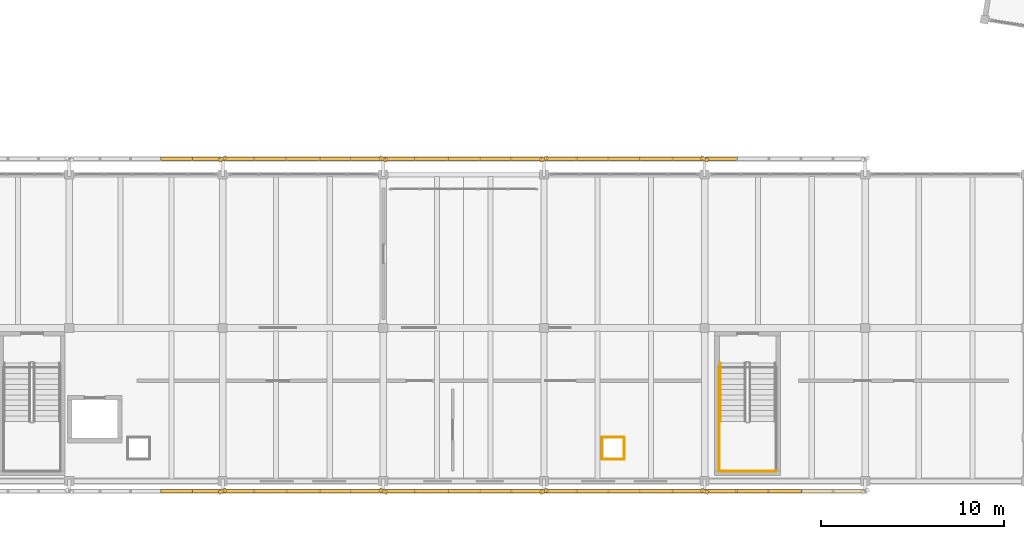
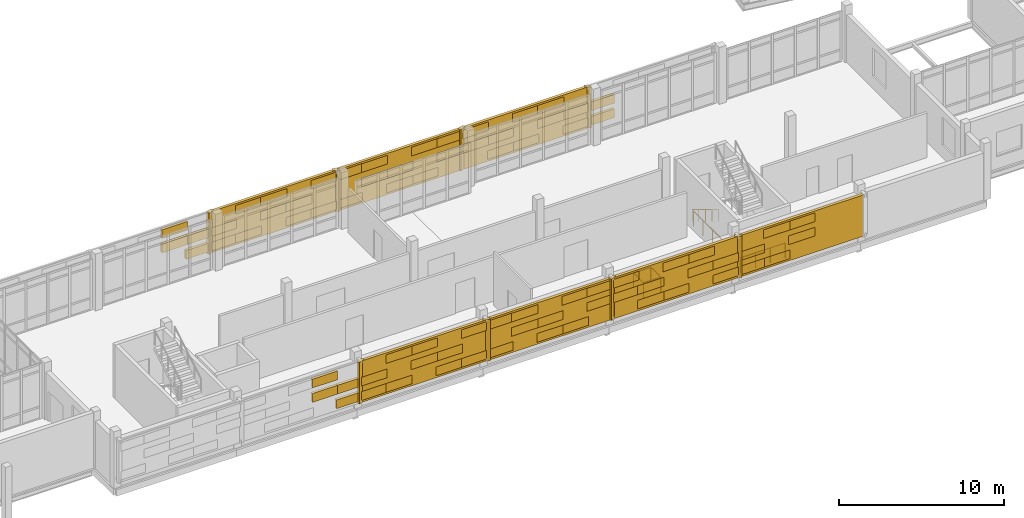
# One storey, part 125 of 137: 84 coverings, 7 railings, 7 shading devices.
"""IFC4 building model written with IfcOpenShell, lengths in metres."""

import ifcopenshell
import ifcopenshell.guid

model = None  # the IFC model being written
_history = None  # IfcOwnerHistory: only IFC2X3 demands one
_inside = {}  # id of a spatial element -> (the spatial element, [elements in it])
_under = {}  # id of a project, library or spatial element -> (it, [spatial elements below it])
_declared = {}  # id of a project -> (the project, [libraries it declares])
_typed = {}  # id of a type object -> (the type object, [elements of that type])
_made_of = {}  # id of a material, layer set ... -> (it, [elements and type objects made of it])


def new_model(schema):
    """Start an empty IFC model of exactly this schema.

    Asked for "IFC4X3", IfcOpenShell would pick the latest addendum, in which some entities
    have other attributes; the version numbers below select the first issue.
    IFC2X3 requires an IfcOwnerHistory on every rooted entity: one is made here for all.
    """
    global model, _history
    if schema == "IFC4X3":
        model = ifcopenshell.file(schema_version=(4, 3, 0, 0))
    else:
        model = ifcopenshell.file(schema=schema)
    _inside.clear()
    _under.clear()
    _declared.clear()
    _typed.clear()
    _made_of.clear()
    _history = None
    if model.schema == "IFC2X3":
        org = make("IfcOrganization", Name="unknown")
        user = make(
            "IfcPersonAndOrganization",
            ThePerson=make("IfcPerson", FamilyName="unknown"),
            TheOrganization=org,
        )
        app = make(
            "IfcApplication",
            ApplicationDeveloper=org,
            Version="unknown",
            ApplicationFullName="unknown",
            ApplicationIdentifier="unknown",
        )
        _history = make(
            "IfcOwnerHistory",
            OwningUser=user,
            OwningApplication=app,
            ChangeAction="ADDED",
            CreationDate=0,
        )
    return model


def make(cls, **values):
    """One entity of the class cls with the attributes given. An attribute that is None is left unset."""
    return model.create_entity(
        cls, **{name: value for name, value in values.items() if value is not None}
    )


def rooted(cls, **values):
    """An entity with a GlobalId (a new one), such as an element, a storey or a relation."""
    return make(cls, GlobalId=ifcopenshell.guid.new(), OwnerHistory=_history, **values)


def si_unit(unit_type, name, prefix=None):
    """IfcSIUnit, for example si_unit("LENGTHUNIT", "METRE", prefix="MILLI")."""
    return make("IfcSIUnit", UnitType=unit_type, Prefix=prefix, Name=name)


def assignment(units):
    """IfcUnitAssignment: the units of a project."""
    return None if units is None else make("IfcUnitAssignment", Units=units)


def point(xyz):
    """IfcCartesianPoint."""
    return None if xyz is None else make("IfcCartesianPoint", Coordinates=xyz)


def direction(xyz):
    """IfcDirection."""
    return None if xyz is None else make("IfcDirection", DirectionRatios=xyz)


def frame(location, z_axis=None, x_axis=None):
    """IfcAxis2Placement3D, a coordinate frame: its origin and axes. An axis left out is left unset."""
    return make(
        "IfcAxis2Placement3D",
        Location=point(location),
        Axis=direction(z_axis),
        RefDirection=direction(x_axis),
    )


def frame_2d(location, x_axis=None):
    """IfcAxis2Placement2D, a coordinate frame in the plane: its origin and x axis."""
    return make(
        "IfcAxis2Placement2D", Location=point(location), RefDirection=direction(x_axis)
    )


def origin():
    """The frame at (0, 0, 0) with its axes left unset."""
    return frame((0.0, 0.0, 0.0))


def origin_2d():
    """The frame at (0, 0) in the plane with its x axis left unset."""
    return frame_2d((0.0, 0.0))


def place(relative_to, where):
    """IfcLocalPlacement: puts the frame where relative to a parent placement (None: the world)."""
    return make(
        "IfcLocalPlacement", PlacementRelTo=relative_to, RelativePlacement=where
    )


def context(
    kind, dimensions, precision=None, world=None, true_north=None, identifier=None
):
    """IfcGeometricRepresentationContext, for example the 3D "Model" context."""
    return make(
        "IfcGeometricRepresentationContext",
        ContextIdentifier=identifier,
        ContextType=kind,
        CoordinateSpaceDimension=dimensions,
        Precision=precision,
        WorldCoordinateSystem=world,
        TrueNorth=true_north,
    )


def subcontext(parent, identifier, kind, view, scale=None):
    """IfcGeometricRepresentationSubContext, for example "Body" below "Model"."""
    return make(
        "IfcGeometricRepresentationSubContext",
        ContextIdentifier=identifier,
        ContextType=kind,
        ParentContext=parent,
        TargetScale=scale,
        TargetView=view,
    )


def project(units=None, contexts=None):
    """IfcProject with its units and contexts."""
    return rooted(
        "IfcProject",
        Name="project",
        RepresentationContexts=contexts,
        UnitsInContext=assignment(units),
    )


def spatial(cls, under=None, at=None, **own):
    """A site, building, storey or space (cls), placed at a placement, below another one or the project."""
    s = rooted(cls, ObjectPlacement=at, **own)
    if under is not None:
        _under.setdefault(under.id(), (under, []))[1].append(s)
    return s


def profile(cls, at=None, kind="AREA", **sizes):
    """A parametric profile (cls). Its sizes go by their IFC names, for example OverallWidth=200.0."""
    return make(cls, ProfileType=kind, Position=at, **sizes)


def rectangle(**sizes):
    """IfcRectangleProfileDef."""
    return profile("IfcRectangleProfileDef", **sizes)


def circle(**sizes):
    """IfcCircleProfileDef."""
    return profile("IfcCircleProfileDef", **sizes)


def extrude(swept, where, along, depth):
    """IfcExtrudedAreaSolid: the profile swept, set in the frame where, extruded along a direction by depth."""
    return make(
        "IfcExtrudedAreaSolid",
        SweptArea=swept,
        Position=where,
        ExtrudedDirection=direction(along),
        Depth=depth,
    )


def shape(context_of_items, identifier, shape_type, items):
    """IfcShapeRepresentation: the items that make up one representation, for example the "Body"."""
    return make(
        "IfcShapeRepresentation",
        ContextOfItems=context_of_items,
        RepresentationIdentifier=identifier,
        RepresentationType=shape_type,
        Items=items,
    )


def material(Name=None, Category=None):
    """IfcMaterial."""
    return make("IfcMaterial", Name=Name, Category=Category)


def layer(
    of_material, thickness, ventilated=None, Name=None, Category=None, Priority=None
):
    """IfcMaterialLayer: one layer of a wall or slab, of a material (None: an air gap)."""
    return make(
        "IfcMaterialLayer",
        Material=of_material,
        LayerThickness=thickness,
        IsVentilated=ventilated,
        Name=Name,
        Category=Category,
        Priority=Priority,
    )


def layer_set(layers, Name=None):
    """IfcMaterialLayerSet."""
    return make("IfcMaterialLayerSet", MaterialLayers=layers, LayerSetName=Name)


def made_of(thing, what):
    """Note that an element or type object is made of a material, layer set ...; save() writes the relation."""
    if what is not None:
        _made_of.setdefault(what.id(), (what, []))[1].append(thing)
    return thing


def type_object(cls, material=None, **own):
    """A type object (cls), such as IfcWallType, which elements share."""
    return made_of(rooted(cls, **own), material)


def element(
    cls,
    number,
    at=None,
    inside=None,
    cuts=None,
    type_object=None,
    material=None,
    context=None,
    identifier="Body",
    shape_type=None,
    held_by="IfcProductDefinitionShape",
    body=None,
    shapes=None,
    **own,
):
    """One element of the class cls, such as IfcWall. Its Tag is "e" and its number.

    at: its placement. inside: the storey or other place that contains it. cuts: it is an
    opening in that element (IfcRelVoidsElement). A single representation is given by context,
    identifier, shape_type and body (its items); several are given by shapes. held_by: the class
    of the entity that holds the representations. save() writes the other relations.
    """
    e = rooted(cls, Tag="e%d" % number, ObjectPlacement=at, **own)
    if body is not None:
        shapes = [shape(context, identifier, shape_type, body)]
    if shapes is not None:
        e.Representation = make(held_by, Representations=shapes)
    if inside is not None:
        _inside.setdefault(inside.id(), (inside, []))[1].append(e)
    if cuts is not None:
        rooted(
            "IfcRelVoidsElement", RelatingBuildingElement=cuts, RelatedOpeningElement=e
        )
    if type_object is not None:
        _typed.setdefault(type_object.id(), (type_object, []))[1].append(e)
    return made_of(e, material)


def aggregate(whole, parts):
    """IfcRelAggregates: a whole, such as a stair, and the parts it consists of."""
    return rooted("IfcRelAggregates", RelatingObject=whole, RelatedObjects=parts)


def save(model, path):
    """Write the relations noted so far, then the file.

    IfcRelAggregates (storeys below a building ...), IfcRelContainedInSpatialStructure (elements
    in a storey), IfcRelDefinesByType, IfcRelAssociatesMaterial and IfcRelDeclares: one each for
    every whole, place, type object, material and project.
    """
    for whole, parts in _under.values():
        aggregate(whole, parts)
    for where, things in _inside.values():
        rooted(
            "IfcRelContainedInSpatialStructure",
            RelatedElements=things,
            RelatingStructure=where,
        )
    for kind, things in _typed.values():
        rooted("IfcRelDefinesByType", RelatedObjects=things, RelatingType=kind)
    for what, things in _made_of.values():
        rooted("IfcRelAssociatesMaterial", RelatedObjects=things, RelatingMaterial=what)
    for by, libraries in _declared.values():
        rooted("IfcRelDeclares", RelatingContext=by, RelatedDefinitions=libraries)
    model.write(path)


model = new_model("IFC4")

# Units and contexts
model_context = context("Model", 3, precision=1e-05, world=origin(), true_north=direction((0.0, 1.0)))
body_context = subcontext(model_context, "Body", "Model", "MODEL_VIEW")
ifc_project = project(units=[si_unit("LENGTHUNIT", "METRE"), si_unit("AREAUNIT", "SQUARE_METRE"), si_unit("VOLUMEUNIT", "CUBIC_METRE"), si_unit("PLANEANGLEUNIT", "RADIAN"), si_unit("MASSUNIT", "GRAM", prefix="KILO")], contexts=[model_context])

# Site, building, storey
site_placement = place(None, origin())
site = spatial("IfcSite", under=ifc_project, at=site_placement, CompositionType="ELEMENT")
building_placement = place(site_placement, origin())
building = spatial("IfcBuilding", under=site, at=building_placement, Name="Cinderway Yard Community Centre", CompositionType="ELEMENT")
storey_placement = place(building_placement, frame((0.0, 0.0, 4.800048828125)))
storey = spatial("IfcBuildingStorey", under=building, at=storey_placement, Name="L01", CompositionType="ELEMENT", Elevation=4.800048828125)

# Coverings
ifc_material_1 = material(Name="Brick Masonry", Category="masonry")
ifc_layer = layer(ifc_material_1, 0.18994140625, Name="Brick Masonry")
ifc_layer_set = layer_set([ifc_layer], Name="Brick Masonry")
covering_type = type_object("IfcCoveringType", Name="ENV-COV-BRK-SCREEN", PredefinedType="CLADDING", material=ifc_layer_set)
for number, where, z_axis, x_axis, name in (
    (1, (75.199951171875, 5.449951171875, 0.64990234375), (0.0, 0.0, 1.0), (-0.913545457643, -0.406736643076, 0.0), "Deconstructivist folded brick fin 0747"),
    (2, (84.0, 5.449951171875, 0.64990234375), (0.0, 0.0, 1.0), (-0.913545457643, 0.406736643076, 0.0), "Deconstructivist folded brick fin 0748"),
    (3, (92.800048828125, 5.449951171875, 0.64990234375), (0.0, 0.0, 1.0), (-0.913545457643, -0.406736643076, 0.0), "Deconstructivist folded brick fin 0749"),
    (4, (101.60009765625, 5.449951171875, 0.64990234375), (0.0, 0.0, 1.0), (-0.913545457643, 0.406736643076, 0.0), "Deconstructivist folded brick fin 0750"),
):
    element("IfcCovering", number, at=place(storey_placement, frame(where, z_axis=z_axis, x_axis=x_axis)), inside=storey, type_object=covering_type, Name=name, PredefinedType="CLADDING", context=body_context, shape_type="SweptSolid", body=[
        extrude(rectangle(XDim=0.4599609375, YDim=0.199951171875, at=origin_2d()), origin(), (0.0, 0.0, 1.0), 3.050048828125),
    ])
for number, where, z_axis, x_axis, name in (
    (5, (74.360107421875, 5.449951171875, 0.7900390625), (0.0, 0.0, 1.0), (-1.0, 0.0, 0.0), "Open-bond perforated brick screen course 00764"),
    (6, (72.679931640625, 5.449951171875, 1.85205078125), (0.0, 0.0, 1.0), (-1.0, 0.0, 0.0), "Open-bond perforated brick screen course 00767"),
    (7, (74.360107421875, 5.449951171875, 1.85205078125), (0.0, 0.0, 1.0), (-1.0, 0.0, 0.0), "Open-bond perforated brick screen course 00768"),
    (8, (72.679931640625, 5.449951171875, 2.9140625), (0.0, 0.0, 1.0), (-1.0, 0.0, 0.0), "Open-bond perforated brick screen course 00771"),
):
    element("IfcCovering", number, at=place(storey_placement, frame(where, z_axis=z_axis, x_axis=x_axis)), inside=storey, type_object=covering_type, Name=name, PredefinedType="CLADDING", context=body_context, shape_type="SweptSolid", body=[
        extrude(rectangle(XDim=1.760009765625, YDim=0.18994140625, at=origin_2d()), origin(), (0.0, 0.0, 1.0), 0.64599609375),
    ])
for number, where, z_axis, x_axis, name in (
    (9, (76.080078125, 5.449951171875, 0.7900390625), (0.0, 0.0, 1.0), (-1.0, 0.0, 0.0), "Open-bond perforated brick screen course 00772"),
    (10, (77.840087890625, 5.449951171875, 0.7900390625), (0.0, 0.0, 1.0), (-1.0, 0.0, 0.0), "Open-bond perforated brick screen course 00773"),
    (11, (81.360107421875, 5.449951171875, 0.7900390625), (0.0, 0.0, 1.0), (-1.0, 0.0, 0.0), "Open-bond perforated brick screen course 00774"),
    (12, (83.1201171875, 5.449951171875, 0.7900390625), (0.0, 0.0, 1.0), (-1.0, 0.0, 0.0), "Open-bond perforated brick screen course 00775"),
    (13, (76.080078125, 5.449951171875, 1.85205078125), (0.0, 0.0, 1.0), (-1.0, 0.0, 0.0), "Open-bond perforated brick screen course 00776"),
    (14, (79.60009765625, 5.449951171875, 1.85205078125), (0.0, 0.0, 1.0), (-1.0, 0.0, 0.0), "Open-bond perforated brick screen course 00777"),
    (15, (81.360107421875, 5.449951171875, 1.85205078125), (0.0, 0.0, 1.0), (-1.0, 0.0, 0.0), "Open-bond perforated brick screen course 00778"),
    (16, (77.840087890625, 5.449951171875, 2.9140625), (0.0, 0.0, 1.0), (-1.0, 0.0, 0.0), "Open-bond perforated brick screen course 00779"),
    (17, (79.60009765625, 5.449951171875, 2.9140625), (0.0, 0.0, 1.0), (-1.0, 0.0, 0.0), "Open-bond perforated brick screen course 00780"),
    (18, (83.1201171875, 5.449951171875, 2.9140625), (0.0, 0.0, 1.0), (-1.0, 0.0, 0.0), "Open-bond perforated brick screen course 00781"),
    (19, (84.8798828125, 5.449951171875, 0.7900390625), (0.0, 0.0, 1.0), (-1.0, 0.0, 0.0), "Open-bond perforated brick screen course 00782"),
    (20, (88.39990234375, 5.449951171875, 0.7900390625), (0.0, 0.0, 1.0), (-1.0, 0.0, 0.0), "Open-bond perforated brick screen course 00783"),
    (21, (90.159912109375, 5.449951171875, 0.7900390625), (0.0, 0.0, 1.0), (-1.0, 0.0, 0.0), "Open-bond perforated brick screen course 00784"),
    (22, (86.639892578125, 5.449951171875, 1.85205078125), (0.0, 0.0, 1.0), (-1.0, 0.0, 0.0), "Open-bond perforated brick screen course 00785"),
    (23, (88.39990234375, 5.449951171875, 1.85205078125), (0.0, 0.0, 1.0), (-1.0, 0.0, 0.0), "Open-bond perforated brick screen course 00786"),
    (24, (91.919921875, 5.449951171875, 1.85205078125), (0.0, 0.0, 1.0), (-1.0, 0.0, 0.0), "Open-bond perforated brick screen course 00787"),
    (25, (84.8798828125, 5.449951171875, 2.9140625), (0.0, 0.0, 1.0), (-1.0, 0.0, 0.0), "Open-bond perforated brick screen course 00788"),
    (26, (86.639892578125, 5.449951171875, 2.9140625), (0.0, 0.0, 1.0), (-1.0, 0.0, 0.0), "Open-bond perforated brick screen course 00789"),
    (27, (90.159912109375, 5.449951171875, 2.9140625), (0.0, 0.0, 1.0), (-1.0, 0.0, 0.0), "Open-bond perforated brick screen course 00790"),
    (28, (91.919921875, 5.449951171875, 2.9140625), (0.0, 0.0, 1.0), (-1.0, 0.0, 0.0), "Open-bond perforated brick screen course 00791"),
    (29, (95.43994140625, 5.449951171875, 0.7900390625), (0.0, 0.0, 1.0), (-1.0, 0.0, 0.0), "Open-bond perforated brick screen course 00792"),
    (30, (97.199951171875, 5.449951171875, 0.7900390625), (0.0, 0.0, 1.0), (-1.0, 0.0, 0.0), "Open-bond perforated brick screen course 00793"),
    (31, (100.719970703125, 5.449951171875, 0.7900390625), (0.0, 0.0, 1.0), (-1.0, 0.0, 0.0), "Open-bond perforated brick screen course 00794"),
    (32, (93.679931640625, 5.449951171875, 1.85205078125), (0.0, 0.0, 1.0), (-1.0, 0.0, 0.0), "Open-bond perforated brick screen course 00795"),
    (33, (95.43994140625, 5.449951171875, 1.85205078125), (0.0, 0.0, 1.0), (-1.0, 0.0, 0.0), "Open-bond perforated brick screen course 00796"),
    (34, (98.9599609375, 5.449951171875, 1.85205078125), (0.0, 0.0, 1.0), (-1.0, 0.0, 0.0), "Open-bond perforated brick screen course 00797"),
    (35, (100.719970703125, 5.449951171875, 1.85205078125), (0.0, 0.0, 1.0), (-1.0, 0.0, 0.0), "Open-bond perforated brick screen course 00798"),
    (36, (93.679931640625, 5.449951171875, 2.9140625), (0.0, 0.0, 1.0), (-1.0, 0.0, 0.0), "Open-bond perforated brick screen course 00799"),
    (37, (97.199951171875, 5.449951171875, 2.9140625), (0.0, 0.0, 1.0), (-1.0, 0.0, 0.0), "Open-bond perforated brick screen course 00800"),
    (38, (98.9599609375, 5.449951171875, 2.9140625), (0.0, 0.0, 1.0), (-1.0, 0.0, 0.0), "Open-bond perforated brick screen course 00801"),
    (39, (102.47998046875, 5.449951171875, 0.7900390625), (0.0, 0.0, 1.0), (-1.0, 0.0, 0.0), "Open-bond perforated brick screen course 00802"),
    (40, (104.239990234375, 5.449951171875, 0.7900390625), (0.0, 0.0, 1.0), (-1.0, 0.0, 0.0), "Open-bond perforated brick screen course 00803"),
    (41, (102.47998046875, 5.449951171875, 1.85205078125), (0.0, 0.0, 1.0), (-1.0, 0.0, 0.0), "Open-bond perforated brick screen course 00806"),
    (42, (106.0, 5.449951171875, 1.85205078125), (0.0, 0.0, 1.0), (-1.0, 0.0, 0.0), "Open-bond perforated brick screen course 00807"),
    (43, (104.239990234375, 5.449951171875, 2.9140625), (0.0, 0.0, 1.0), (-1.0, 0.0, 0.0), "Open-bond perforated brick screen course 00809"),
    (44, (106.0, 5.449951171875, 2.9140625), (0.0, 0.0, 1.0), (-1.0, 0.0, 0.0), "Open-bond perforated brick screen course 00810"),
):
    element("IfcCovering", number, at=place(storey_placement, frame(where, z_axis=z_axis, x_axis=x_axis)), inside=storey, type_object=covering_type, Name=name, PredefinedType="CLADDING", context=body_context, shape_type="SweptSolid", body=[
        extrude(rectangle(XDim=1.840087890625, YDim=0.18994140625, at=origin_2d()), origin(), (0.0, 0.0, 1.0), 0.64599609375),
    ])
for number, where, z_axis, x_axis, name in (
    (45, (75.199951171875, 23.64990234375, 0.64990234375), (0.0, 0.0, 1.0), (0.913545457643, 0.406736643076, 0.0), "Deconstructivist folded brick fin 0814"),
    (46, (84.0, 23.64990234375, 0.64990234375), (0.0, 0.0, 1.0), (0.913545457643, -0.406736643076, 0.0), "Deconstructivist folded brick fin 0815"),
    (47, (92.800048828125, 23.64990234375, 0.64990234375), (0.0, 0.0, 1.0), (0.913545457643, 0.406736643076, 0.0), "Deconstructivist folded brick fin 0816"),
    (48, (101.60009765625, 23.64990234375, 0.64990234375), (0.0, 0.0, 1.0), (0.913545457643, -0.406736643076, 0.0), "Deconstructivist folded brick fin 0817"),
):
    element("IfcCovering", number, at=place(storey_placement, frame(where, z_axis=z_axis, x_axis=x_axis)), inside=storey, type_object=covering_type, Name=name, PredefinedType="CLADDING", context=body_context, shape_type="SweptSolid", body=[
        extrude(rectangle(XDim=0.4599609375, YDim=0.199951171875, at=origin_2d()), origin(), (0.0, 0.0, 1.0), 3.050048828125),
    ])
for number, where, z_axis, x_axis, name in (
    (49, (74.360107421875, 23.64990234375, 0.7900390625), (0.0, 0.0, 1.0), (1.0, 0.0, 0.0), "Open-bond perforated brick screen course 00831"),
    (50, (72.679931640625, 23.64990234375, 1.85205078125), (0.0, 0.0, 1.0), (1.0, 0.0, 0.0), "Open-bond perforated brick screen course 00834"),
    (51, (74.360107421875, 23.64990234375, 1.85205078125), (0.0, 0.0, 1.0), (1.0, 0.0, 0.0), "Open-bond perforated brick screen course 00835"),
    (52, (72.679931640625, 23.64990234375, 2.9140625), (0.0, 0.0, 1.0), (1.0, 0.0, 0.0), "Open-bond perforated brick screen course 00838"),
):
    element("IfcCovering", number, at=place(storey_placement, frame(where, z_axis=z_axis, x_axis=x_axis)), inside=storey, type_object=covering_type, Name=name, PredefinedType="CLADDING", context=body_context, shape_type="SweptSolid", body=[
        extrude(rectangle(XDim=1.760009765625, YDim=0.18994140625, at=origin_2d()), origin(), (0.0, 0.0, 1.0), 0.64599609375),
    ])
for number, where, z_axis, x_axis, name in (
    (53, (76.080078125, 23.64990234375, 0.7900390625), (0.0, 0.0, 1.0), (1.0, 0.0, 0.0), "Open-bond perforated brick screen course 00839"),
    (54, (77.840087890625, 23.64990234375, 0.7900390625), (0.0, 0.0, 1.0), (1.0, 0.0, 0.0), "Open-bond perforated brick screen course 00840"),
    (55, (81.360107421875, 23.64990234375, 0.7900390625), (0.0, 0.0, 1.0), (1.0, 0.0, 0.0), "Open-bond perforated brick screen course 00841"),
    (56, (83.1201171875, 23.64990234375, 0.7900390625), (0.0, 0.0, 1.0), (1.0, 0.0, 0.0), "Open-bond perforated brick screen course 00842"),
    (57, (76.080078125, 23.64990234375, 1.85205078125), (0.0, 0.0, 1.0), (1.0, 0.0, 0.0), "Open-bond perforated brick screen course 00843"),
    (58, (79.60009765625, 23.64990234375, 1.85205078125), (0.0, 0.0, 1.0), (1.0, 0.0, 0.0), "Open-bond perforated brick screen course 00844"),
    (59, (81.360107421875, 23.64990234375, 1.85205078125), (0.0, 0.0, 1.0), (1.0, 0.0, 0.0), "Open-bond perforated brick screen course 00845"),
    (60, (77.840087890625, 23.64990234375, 2.9140625), (0.0, 0.0, 1.0), (1.0, 0.0, 0.0), "Open-bond perforated brick screen course 00846"),
    (61, (79.60009765625, 23.64990234375, 2.9140625), (0.0, 0.0, 1.0), (1.0, 0.0, 0.0), "Open-bond perforated brick screen course 00847"),
    (62, (83.1201171875, 23.64990234375, 2.9140625), (0.0, 0.0, 1.0), (1.0, 0.0, 0.0), "Open-bond perforated brick screen course 00848"),
    (63, (84.8798828125, 23.64990234375, 0.7900390625), (0.0, 0.0, 1.0), (1.0, 0.0, 0.0), "Open-bond perforated brick screen course 00849"),
    (64, (88.39990234375, 23.64990234375, 0.7900390625), (0.0, 0.0, 1.0), (1.0, 0.0, 0.0), "Open-bond perforated brick screen course 00850"),
    (65, (90.159912109375, 23.64990234375, 0.7900390625), (0.0, 0.0, 1.0), (1.0, 0.0, 0.0), "Open-bond perforated brick screen course 00851"),
    (66, (86.639892578125, 23.64990234375, 1.85205078125), (0.0, 0.0, 1.0), (1.0, 0.0, 0.0), "Open-bond perforated brick screen course 00852"),
    (67, (88.39990234375, 23.64990234375, 1.85205078125), (0.0, 0.0, 1.0), (1.0, 0.0, 0.0), "Open-bond perforated brick screen course 00853"),
    (68, (91.919921875, 23.64990234375, 1.85205078125), (0.0, 0.0, 1.0), (1.0, 0.0, 0.0), "Open-bond perforated brick screen course 00854"),
    (69, (84.8798828125, 23.64990234375, 2.9140625), (0.0, 0.0, 1.0), (1.0, 0.0, 0.0), "Open-bond perforated brick screen course 00855"),
    (70, (86.639892578125, 23.64990234375, 2.9140625), (0.0, 0.0, 1.0), (1.0, 0.0, 0.0), "Open-bond perforated brick screen course 00856"),
    (71, (90.159912109375, 23.64990234375, 2.9140625), (0.0, 0.0, 1.0), (1.0, 0.0, 0.0), "Open-bond perforated brick screen course 00857"),
    (72, (91.919921875, 23.64990234375, 2.9140625), (0.0, 0.0, 1.0), (1.0, 0.0, 0.0), "Open-bond perforated brick screen course 00858"),
    (73, (95.43994140625, 23.64990234375, 0.7900390625), (0.0, 0.0, 1.0), (1.0, 0.0, 0.0), "Open-bond perforated brick screen course 00859"),
    (74, (97.199951171875, 23.64990234375, 0.7900390625), (0.0, 0.0, 1.0), (1.0, 0.0, 0.0), "Open-bond perforated brick screen course 00860"),
    (75, (100.719970703125, 23.64990234375, 0.7900390625), (0.0, 0.0, 1.0), (1.0, 0.0, 0.0), "Open-bond perforated brick screen course 00861"),
    (76, (93.679931640625, 23.64990234375, 1.85205078125), (0.0, 0.0, 1.0), (1.0, 0.0, 0.0), "Open-bond perforated brick screen course 00862"),
    (77, (95.43994140625, 23.64990234375, 1.85205078125), (0.0, 0.0, 1.0), (1.0, 0.0, 0.0), "Open-bond perforated brick screen course 00863"),
    (78, (98.9599609375, 23.64990234375, 1.85205078125), (0.0, 0.0, 1.0), (1.0, 0.0, 0.0), "Open-bond perforated brick screen course 00864"),
    (79, (100.719970703125, 23.64990234375, 1.85205078125), (0.0, 0.0, 1.0), (1.0, 0.0, 0.0), "Open-bond perforated brick screen course 00865"),
    (80, (93.679931640625, 23.64990234375, 2.9140625), (0.0, 0.0, 1.0), (1.0, 0.0, 0.0), "Open-bond perforated brick screen course 00866"),
    (81, (97.199951171875, 23.64990234375, 2.9140625), (0.0, 0.0, 1.0), (1.0, 0.0, 0.0), "Open-bond perforated brick screen course 00867"),
    (82, (98.9599609375, 23.64990234375, 2.9140625), (0.0, 0.0, 1.0), (1.0, 0.0, 0.0), "Open-bond perforated brick screen course 00868"),
    (83, (102.47998046875, 23.64990234375, 0.7900390625), (0.0, 0.0, 1.0), (1.0, 0.0, 0.0), "Open-bond perforated brick screen course 00869"),
    (84, (102.47998046875, 23.64990234375, 1.85205078125), (0.0, 0.0, 1.0), (1.0, 0.0, 0.0), "Open-bond perforated brick screen course 00873"),
):
    element("IfcCovering", number, at=place(storey_placement, frame(where, z_axis=z_axis, x_axis=x_axis)), inside=storey, type_object=covering_type, Name=name, PredefinedType="CLADDING", context=body_context, shape_type="SweptSolid", body=[
        extrude(rectangle(XDim=1.840087890625, YDim=0.18994140625, at=origin_2d()), origin(), (0.0, 0.0, 1.0), 0.64599609375),
    ])

# Shading devices
shading_device_type = type_object("IfcShadingDeviceType", Name="ENV-SHD-BRICKSCREEN-A", PredefinedType="USERDEFINED", material=ifc_material_1)
for number, where, z_axis, x_axis, name in (
    (85, (79.60009765625, 5.449951171875, 0.64990234375), (0.0, 0.0, 1.0), (-1.0, 0.0, 0.0), "South Rail-Yard Solar Screen 0568"),
    (86, (88.39990234375, 5.449951171875, 0.64990234375), (0.0, 0.0, 1.0), (-1.0, 0.0, 0.0), "South Rail-Yard Solar Screen 0576"),
    (87, (97.199951171875, 5.449951171875, 0.64990234375), (0.0, 0.0, 1.0), (-1.0, 0.0, 0.0), "South Rail-Yard Solar Screen 0584"),
    (88, (106.0, 5.449951171875, 0.64990234375), (0.0, 0.0, 1.0), (-1.0, 0.0, 0.0), "South Rail-Yard Solar Screen 0592"),
    (89, (79.60009765625, 23.64990234375, 0.64990234375), (0.0, 0.0, 1.0), (1.0, 0.0, 0.0), "V3 Courtyard Perforated Brick Screen 0617"),
    (90, (88.39990234375, 23.64990234375, 0.64990234375), (0.0, 0.0, 1.0), (1.0, 0.0, 0.0), "V3 Courtyard Perforated Brick Screen 0625"),
    (91, (97.199951171875, 23.64990234375, 0.64990234375), (0.0, 0.0, 1.0), (1.0, 0.0, 0.0), "V3 Courtyard Perforated Brick Screen 0633"),
):
    element("IfcShadingDevice", number, at=place(storey_placement, frame(where, z_axis=z_axis, x_axis=x_axis)), inside=storey, type_object=shading_device_type, Name=name, ObjectType="PERFORATED BRICK SCREEN", PredefinedType="USERDEFINED", context=body_context, shape_type="SweptSolid", body=[
        extrude(rectangle(XDim=8.60009765625, YDim=0.18994140625, at=origin_2d()), origin(), (0.0, 0.0, 1.0), 3.050048828125),
    ])

# Railings
ifc_material_2 = material(Name="Painted Galvanised Steel", Category="steel")
railing_type_1 = type_object("IfcRailingType", Name="INT-RAL-GRD112", PredefinedType="GUARDRAIL", material=ifc_material_2)
railing_1_placement = place(storey_placement, frame((102.39990234375, 12.22998046875, 0.0)))
element("IfcRailing", 92, at=railing_1_placement, inside=storey, type_object=railing_type_1, Name="Service void perimeter guard L01 079", PredefinedType="GUARDRAIL", context=body_context, shape_type="SweptSolid", body=[
    extrude(circle(Radius=0.02392578125, at=origin_2d()), frame((0.0, 0.0, 1.09619140625), z_axis=(0.0, -1.0, 0.0), x_axis=(1.0, 0.0, 0.0)), (0.0, 0.0, 1.0), 5.679931640625),
    extrude(circle(Radius=0.02099609375, at=origin_2d()), origin(), (0.0, 0.0, 1.0), 1.072021484375),
    extrude(circle(Radius=0.02099609375, at=origin_2d()), frame((0.0, -1.135986328125, 0.0)), (0.0, 0.0, 1.0), 1.072021484375),
    extrude(circle(Radius=0.02099609375, at=origin_2d()), frame((0.0, -2.27197265625, 0.0)), (0.0, 0.0, 1.0), 1.072021484375),
    extrude(circle(Radius=0.02099609375, at=origin_2d()), frame((0.0, -3.407958984375, 0.0)), (0.0, 0.0, 1.0), 1.072021484375),
    extrude(circle(Radius=0.02099609375, at=origin_2d()), frame((0.0, -4.5439453125, 0.0)), (0.0, 0.0, 1.0), 1.072021484375),
    extrude(circle(Radius=0.02099609375, at=origin_2d()), frame((0.0, -5.679931640625, 0.0)), (0.0, 0.0, 1.0), 1.072021484375),
])
railing_2_placement = place(storey_placement, frame((102.39990234375, 6.550048828125, 0.0)))
element("IfcRailing", 93, at=railing_2_placement, inside=storey, type_object=railing_type_1, Name="Service void perimeter guard L01 080", PredefinedType="GUARDRAIL", context=body_context, shape_type="SweptSolid", body=[
    extrude(circle(Radius=0.02392578125, at=origin_2d()), frame((0.0, 0.0, 1.09619140625), z_axis=(1.0, 0.0, 0.0), x_axis=(0.0, 1.0, 0.0)), (0.0, 0.0, 1.0), 3.1201171875),
    extrude(circle(Radius=0.02099609375, at=origin_2d()), origin(), (0.0, 0.0, 1.0), 1.072021484375),
    extrude(circle(Radius=0.02099609375, at=origin_2d()), frame((1.0400390625, 0.0, 0.0)), (0.0, 0.0, 1.0), 1.072021484375),
    extrude(circle(Radius=0.02099609375, at=origin_2d()), frame((2.080078125, 0.0, 0.0)), (0.0, 0.0, 1.0), 1.072021484375),
    extrude(circle(Radius=0.02099609375, at=origin_2d()), frame((3.1201171875, 0.0, 0.0)), (0.0, 0.0, 1.0), 1.072021484375),
])
railing_3_placement = place(storey_placement, frame((96.0, 7.199951171875, 0.0)))
element("IfcRailing", 94, at=railing_3_placement, inside=storey, type_object=railing_type_1, Name="Service void perimeter guard L01 083", PredefinedType="GUARDRAIL", context=body_context, shape_type="SweptSolid", body=[
    extrude(circle(Radius=0.02392578125, at=origin_2d()), frame((0.0, 0.0, 1.09619140625), z_axis=(1.0, 0.0, 0.0), x_axis=(0.0, 1.0, 0.0)), (0.0, 0.0, 1.0), 1.199951171875),
    extrude(circle(Radius=0.02099609375, at=origin_2d()), origin(), (0.0, 0.0, 1.0), 1.072021484375),
    extrude(circle(Radius=0.02099609375, at=origin_2d()), frame((1.199951171875, 0.0, 0.0)), (0.0, 0.0, 1.0), 1.072021484375),
])
railing_4_placement = place(storey_placement, frame((97.199951171875, 7.199951171875, 0.0)))
element("IfcRailing", 95, at=railing_4_placement, inside=storey, type_object=railing_type_1, Name="Service void perimeter guard L01 084", PredefinedType="GUARDRAIL", context=body_context, shape_type="SweptSolid", body=[
    extrude(circle(Radius=0.02392578125, at=origin_2d()), frame((0.0, 0.0, 1.09619140625), z_axis=(0.0, 1.0, 0.0), x_axis=(-1.0, 0.0, 0.0)), (0.0, 0.0, 1.0), 1.199951171875),
    extrude(circle(Radius=0.02099609375, at=origin_2d()), origin(), (0.0, 0.0, 1.0), 1.072021484375),
    extrude(circle(Radius=0.02099609375, at=origin_2d()), frame((0.0, 1.199951171875, 0.0)), (0.0, 0.0, 1.0), 1.072021484375),
])
railing_5_placement = place(storey_placement, frame((97.199951171875, 8.39990234375, 0.0)))
element("IfcRailing", 96, at=railing_5_placement, inside=storey, type_object=railing_type_1, Name="Service void perimeter guard L01 085", PredefinedType="GUARDRAIL", context=body_context, shape_type="SweptSolid", body=[
    extrude(circle(Radius=0.02392578125, at=origin_2d()), frame((0.0, 0.0, 1.09619140625), z_axis=(-1.0, 0.0, 0.0), x_axis=(0.0, -1.0, 0.0)), (0.0, 0.0, 1.0), 1.199951171875),
    extrude(circle(Radius=0.02099609375, at=origin_2d()), origin(), (0.0, 0.0, 1.0), 1.072021484375),
    extrude(circle(Radius=0.02099609375, at=origin_2d()), frame((-1.199951171875, 0.0, 0.0)), (0.0, 0.0, 1.0), 1.072021484375),
])
railing_6_placement = place(storey_placement, frame((96.0, 8.39990234375, 0.0)))
element("IfcRailing", 97, at=railing_6_placement, inside=storey, type_object=railing_type_1, Name="Service void perimeter guard L01 086", PredefinedType="GUARDRAIL", context=body_context, shape_type="SweptSolid", body=[
    extrude(circle(Radius=0.02392578125, at=origin_2d()), frame((0.0, 0.0, 1.09619140625), z_axis=(0.0, -1.0, 0.0), x_axis=(1.0, 0.0, 0.0)), (0.0, 0.0, 1.0), 1.199951171875),
    extrude(circle(Radius=0.02099609375, at=origin_2d()), origin(), (0.0, 0.0, 1.0), 1.072021484375),
    extrude(circle(Radius=0.02099609375, at=origin_2d()), frame((0.0, -1.199951171875, 0.0)), (0.0, 0.0, 1.0), 1.072021484375),
])
railing_type_2 = type_object("IfcRailingType", Name="INT-RAL-HND090", PredefinedType="HANDRAIL", material=ifc_material_2)
railing_7_placement = place(storey_placement, frame((102.449951171875, 12.469970703125, 0.175048828125)))
element("IfcRailing", 98, at=railing_7_placement, inside=storey, type_object=railing_type_2, Name="L01 ST-10 stair handrail 1", PredefinedType="HANDRAIL", context=body_context, shape_type="SweptSolid", body=[
    extrude(circle(Radius=0.02392578125, at=origin_2d()), frame((0.0, 0.0, 0.8759765625), z_axis=(0.0, -0.856206652436, 0.516633495163), x_axis=(1.0, 0.0, 0.0)), (0.0, 0.0, 1.0), 3.7255859375),
    extrude(circle(Radius=0.02099609375, at=origin_2d()), origin(), (0.0, 0.0, 1.0), 0.851806640625),
    extrude(circle(Radius=0.02099609375, at=origin_2d()), frame((0.0, -0.79736328125, 0.481201171875)), (0.0, 0.0, 1.0), 0.851806640625),
    extrude(circle(Radius=0.02099609375, at=origin_2d()), frame((0.0, -1.594970703125, 0.96240234375)), (0.0, 0.0, 1.0), 0.851806640625),
    extrude(circle(Radius=0.02099609375, at=origin_2d()), frame((0.0, -2.392578125, 1.443603515625)), (0.0, 0.0, 1.0), 0.851806640625),
    extrude(circle(Radius=0.02099609375, at=origin_2d()), frame((0.0, -3.18994140625, 1.9248046875)), (0.0, 0.0, 1.0), 0.851806640625),
])

save(model, "model.ifc")
